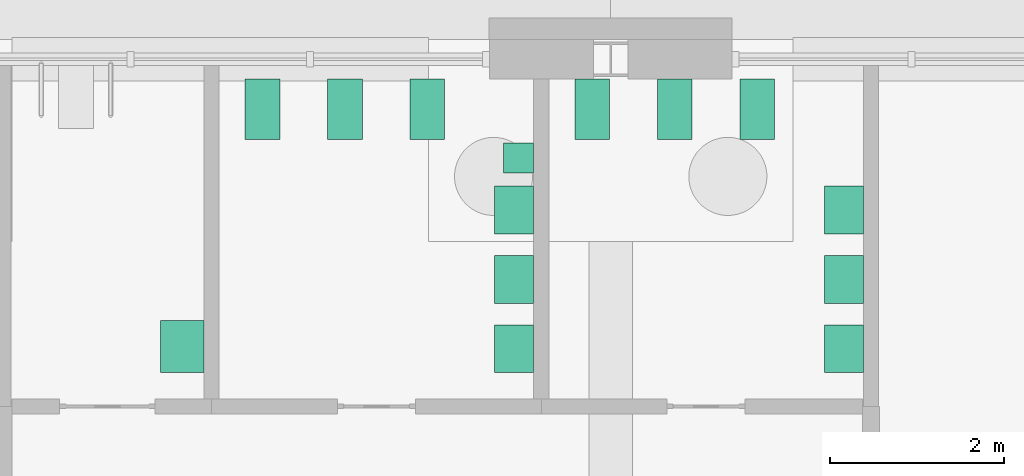
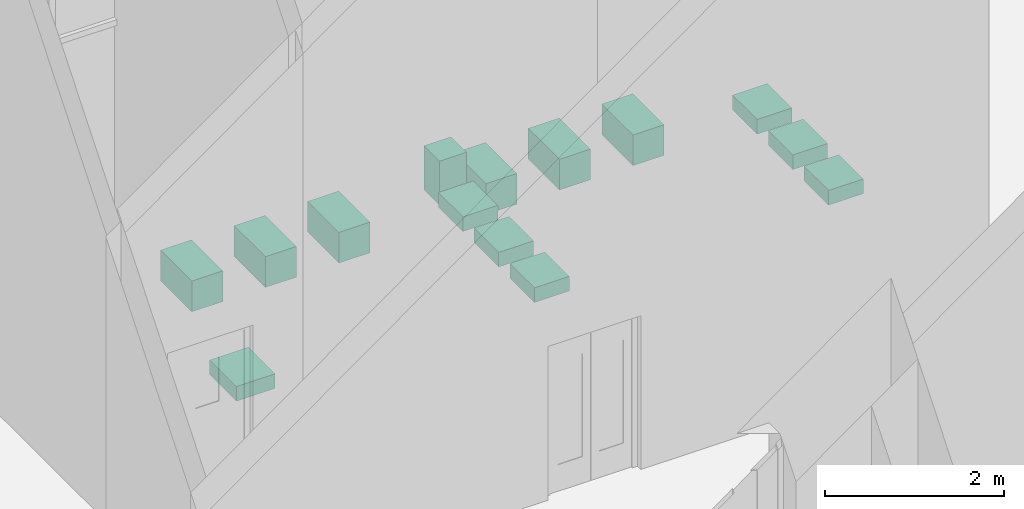
# One storey, part 235 of 250: 14 sanitary terminals.
"""IFC4 building model written with IfcOpenShell, lengths in metres."""

import ifcopenshell
import ifcopenshell.guid

model = None  # the IFC model being written
_history = None  # IfcOwnerHistory: only IFC2X3 demands one
_inside = {}  # id of a spatial element -> (the spatial element, [elements in it])
_under = {}  # id of a project, library or spatial element -> (it, [spatial elements below it])
_declared = {}  # id of a project -> (the project, [libraries it declares])
_typed = {}  # id of a type object -> (the type object, [elements of that type])
_made_of = {}  # id of a material, layer set ... -> (it, [elements and type objects made of it])


def new_model(schema):
    """Start an empty IFC model of exactly this schema.

    Asked for "IFC4X3", IfcOpenShell would pick the latest addendum, in which some entities
    have other attributes; the version numbers below select the first issue.
    IFC2X3 requires an IfcOwnerHistory on every rooted entity: one is made here for all.
    """
    global model, _history
    if schema == "IFC4X3":
        model = ifcopenshell.file(schema_version=(4, 3, 0, 0))
    else:
        model = ifcopenshell.file(schema=schema)
    _inside.clear()
    _under.clear()
    _declared.clear()
    _typed.clear()
    _made_of.clear()
    _history = None
    if model.schema == "IFC2X3":
        org = make("IfcOrganization", Name="unknown")
        user = make(
            "IfcPersonAndOrganization",
            ThePerson=make("IfcPerson", FamilyName="unknown"),
            TheOrganization=org,
        )
        app = make(
            "IfcApplication",
            ApplicationDeveloper=org,
            Version="unknown",
            ApplicationFullName="unknown",
            ApplicationIdentifier="unknown",
        )
        _history = make(
            "IfcOwnerHistory",
            OwningUser=user,
            OwningApplication=app,
            ChangeAction="ADDED",
            CreationDate=0,
        )
    return model


def make(cls, **values):
    """One entity of the class cls with the attributes given. An attribute that is None is left unset."""
    return model.create_entity(
        cls, **{name: value for name, value in values.items() if value is not None}
    )


def rooted(cls, **values):
    """An entity with a GlobalId (a new one), such as an element, a storey or a relation."""
    return make(cls, GlobalId=ifcopenshell.guid.new(), OwnerHistory=_history, **values)


def si_unit(unit_type, name, prefix=None):
    """IfcSIUnit, for example si_unit("LENGTHUNIT", "METRE", prefix="MILLI")."""
    return make("IfcSIUnit", UnitType=unit_type, Prefix=prefix, Name=name)


def assignment(units):
    """IfcUnitAssignment: the units of a project."""
    return None if units is None else make("IfcUnitAssignment", Units=units)


def point(xyz):
    """IfcCartesianPoint."""
    return None if xyz is None else make("IfcCartesianPoint", Coordinates=xyz)


def direction(xyz):
    """IfcDirection."""
    return None if xyz is None else make("IfcDirection", DirectionRatios=xyz)


def frame(location, z_axis=None, x_axis=None):
    """IfcAxis2Placement3D, a coordinate frame: its origin and axes. An axis left out is left unset."""
    return make(
        "IfcAxis2Placement3D",
        Location=point(location),
        Axis=direction(z_axis),
        RefDirection=direction(x_axis),
    )


def frame_2d(location, x_axis=None):
    """IfcAxis2Placement2D, a coordinate frame in the plane: its origin and x axis."""
    return make(
        "IfcAxis2Placement2D", Location=point(location), RefDirection=direction(x_axis)
    )


def origin():
    """The frame at (0, 0, 0) with its axes left unset."""
    return frame((0.0, 0.0, 0.0))


def origin_2d():
    """The frame at (0, 0) in the plane with its x axis left unset."""
    return frame_2d((0.0, 0.0))


def place(relative_to, where):
    """IfcLocalPlacement: puts the frame where relative to a parent placement (None: the world)."""
    return make(
        "IfcLocalPlacement", PlacementRelTo=relative_to, RelativePlacement=where
    )


def context(
    kind, dimensions, precision=None, world=None, true_north=None, identifier=None
):
    """IfcGeometricRepresentationContext, for example the 3D "Model" context."""
    return make(
        "IfcGeometricRepresentationContext",
        ContextIdentifier=identifier,
        ContextType=kind,
        CoordinateSpaceDimension=dimensions,
        Precision=precision,
        WorldCoordinateSystem=world,
        TrueNorth=true_north,
    )


def subcontext(parent, identifier, kind, view, scale=None):
    """IfcGeometricRepresentationSubContext, for example "Body" below "Model"."""
    return make(
        "IfcGeometricRepresentationSubContext",
        ContextIdentifier=identifier,
        ContextType=kind,
        ParentContext=parent,
        TargetScale=scale,
        TargetView=view,
    )


def project(units=None, contexts=None):
    """IfcProject with its units and contexts."""
    return rooted(
        "IfcProject",
        Name="project",
        RepresentationContexts=contexts,
        UnitsInContext=assignment(units),
    )


def spatial(cls, under=None, at=None, **own):
    """A site, building, storey or space (cls), placed at a placement, below another one or the project."""
    s = rooted(cls, ObjectPlacement=at, **own)
    if under is not None:
        _under.setdefault(under.id(), (under, []))[1].append(s)
    return s


def profile(cls, at=None, kind="AREA", **sizes):
    """A parametric profile (cls). Its sizes go by their IFC names, for example OverallWidth=200.0."""
    return make(cls, ProfileType=kind, Position=at, **sizes)


def rectangle(**sizes):
    """IfcRectangleProfileDef."""
    return profile("IfcRectangleProfileDef", **sizes)


def extrude(swept, where, along, depth):
    """IfcExtrudedAreaSolid: the profile swept, set in the frame where, extruded along a direction by depth."""
    return make(
        "IfcExtrudedAreaSolid",
        SweptArea=swept,
        Position=where,
        ExtrudedDirection=direction(along),
        Depth=depth,
    )


def shape(context_of_items, identifier, shape_type, items):
    """IfcShapeRepresentation: the items that make up one representation, for example the "Body"."""
    return make(
        "IfcShapeRepresentation",
        ContextOfItems=context_of_items,
        RepresentationIdentifier=identifier,
        RepresentationType=shape_type,
        Items=items,
    )


def material(Name=None, Category=None):
    """IfcMaterial."""
    return make("IfcMaterial", Name=Name, Category=Category)


def made_of(thing, what):
    """Note that an element or type object is made of a material, layer set ...; save() writes the relation."""
    if what is not None:
        _made_of.setdefault(what.id(), (what, []))[1].append(thing)
    return thing


def type_object(cls, material=None, **own):
    """A type object (cls), such as IfcWallType, which elements share."""
    return made_of(rooted(cls, **own), material)


def element(
    cls,
    number,
    at=None,
    inside=None,
    cuts=None,
    type_object=None,
    material=None,
    context=None,
    identifier="Body",
    shape_type=None,
    held_by="IfcProductDefinitionShape",
    body=None,
    shapes=None,
    **own,
):
    """One element of the class cls, such as IfcWall. Its Tag is "e" and its number.

    at: its placement. inside: the storey or other place that contains it. cuts: it is an
    opening in that element (IfcRelVoidsElement). A single representation is given by context,
    identifier, shape_type and body (its items); several are given by shapes. held_by: the class
    of the entity that holds the representations. save() writes the other relations.
    """
    e = rooted(cls, Tag="e%d" % number, ObjectPlacement=at, **own)
    if body is not None:
        shapes = [shape(context, identifier, shape_type, body)]
    if shapes is not None:
        e.Representation = make(held_by, Representations=shapes)
    if inside is not None:
        _inside.setdefault(inside.id(), (inside, []))[1].append(e)
    if cuts is not None:
        rooted(
            "IfcRelVoidsElement", RelatingBuildingElement=cuts, RelatedOpeningElement=e
        )
    if type_object is not None:
        _typed.setdefault(type_object.id(), (type_object, []))[1].append(e)
    return made_of(e, material)


def aggregate(whole, parts):
    """IfcRelAggregates: a whole, such as a stair, and the parts it consists of."""
    return rooted("IfcRelAggregates", RelatingObject=whole, RelatedObjects=parts)


def save(model, path):
    """Write the relations noted so far, then the file.

    IfcRelAggregates (storeys below a building ...), IfcRelContainedInSpatialStructure (elements
    in a storey), IfcRelDefinesByType, IfcRelAssociatesMaterial and IfcRelDeclares: one each for
    every whole, place, type object, material and project.
    """
    for whole, parts in _under.values():
        aggregate(whole, parts)
    for where, things in _inside.values():
        rooted(
            "IfcRelContainedInSpatialStructure",
            RelatedElements=things,
            RelatingStructure=where,
        )
    for kind, things in _typed.values():
        rooted("IfcRelDefinesByType", RelatedObjects=things, RelatingType=kind)
    for what, things in _made_of.values():
        rooted("IfcRelAssociatesMaterial", RelatedObjects=things, RelatingMaterial=what)
    for by, libraries in _declared.values():
        rooted("IfcRelDeclares", RelatingContext=by, RelatedDefinitions=libraries)
    model.write(path)


model = new_model("IFC4")

# Units and contexts
model_context = context("Model", 3, precision=1e-05, world=origin(), true_north=direction((0.0, 1.0)))
body_context = subcontext(model_context, "Body", "Model", "MODEL_VIEW")
ifc_project = project(units=[si_unit("LENGTHUNIT", "METRE"), si_unit("AREAUNIT", "SQUARE_METRE"), si_unit("VOLUMEUNIT", "CUBIC_METRE"), si_unit("PLANEANGLEUNIT", "RADIAN"), si_unit("MASSUNIT", "GRAM", prefix="KILO")], contexts=[model_context])

# Site, building, storey
site_placement = place(None, origin())
site = spatial("IfcSite", under=ifc_project, at=site_placement, CompositionType="ELEMENT")
building_placement = place(site_placement, origin())
building = spatial("IfcBuilding", under=site, at=building_placement, Name="Baradari Gate Terminus", CompositionType="ELEMENT")
storey_placement = place(building_placement, origin())
storey = spatial("IfcBuildingStorey", under=building, at=storey_placement, Name="L00", CompositionType="ELEMENT", Elevation=0.0)

# Sanitary terminals
ifc_material_1 = material(Name="Vitreous china", Category="ceramic")
sanitary_terminal_type_1 = type_object("IfcSanitaryTerminalType", Name="Accessible wash basin SW-6", PredefinedType="WASHHANDBASIN", material=ifc_material_1)
sanitary_terminal_1_placement = place(storey_placement, frame((40.0625, 140.6875, 0.75), z_axis=(0.0, 0.0, 1.0), x_axis=(1.0, 0.0, 0.0)))
element("IfcSanitaryTerminal", 1, at=sanitary_terminal_1_placement, inside=storey, type_object=sanitary_terminal_type_1, Name="Accessible wash basin Accessible WC", PredefinedType="WASHHANDBASIN", context=body_context, shape_type="SweptSolid", body=[
    extrude(rectangle(XDim=0.5, YDim=0.60009765625, at=origin_2d()), origin(), (0.0, 0.0, 1.0), 0.199951171875),
])
ifc_material_2 = material(Name="Vitreous china", Category="ceramic")
sanitary_terminal_type_2 = type_object("IfcSanitaryTerminalType", Name="Urinal SW-3", PredefinedType="URINAL", material=ifc_material_2)
sanitary_terminal_2_placement = place(storey_placement, frame((43.9375, 142.862548828125, 0.64990234375), z_axis=(0.0, 0.0, 1.0), x_axis=(1.0, 0.0, 0.0)))
element("IfcSanitaryTerminal", 2, at=sanitary_terminal_2_placement, inside=storey, type_object=sanitary_terminal_type_2, Name="Urinal Male WC", PredefinedType="URINAL", context=body_context, shape_type="SweptSolid", body=[
    extrude(rectangle(XDim=0.35009765625, YDim=0.35009765625, at=origin_2d()), origin(), (0.0, 0.0, 1.0), 0.60009765625),
])
ifc_material_3 = material(Name="Vitreous china", Category="ceramic")
sanitary_terminal_type_3 = type_object("IfcSanitaryTerminalType", Name="WC pan SW-1", PredefinedType="TOILETPAN", material=ifc_material_3)
for number, where, z_axis, x_axis, name in (
    (3, (40.987548828125, 143.425048828125, 0.0), (0.0, 0.0, 1.0), (1.0, 0.0, 0.0), "WC pan Male WC"),
    (4, (41.9375, 143.425048828125, 0.0), (0.0, 0.0, 1.0), (1.0, 0.0, 0.0), "WC pan Male WC"),
    (5, (42.887451171875, 143.425048828125, 0.0), (0.0, 0.0, 1.0), (1.0, 0.0, 0.0), "WC pan Male WC"),
    (6, (44.78759765625, 143.425048828125, 0.0), (0.0, 0.0, 1.0), (1.0, 0.0, 0.0), "WC pan Female WC"),
    (7, (45.737548828125, 143.425048828125, 0.0), (0.0, 0.0, 1.0), (1.0, 0.0, 0.0), "WC pan Female WC"),
    (8, (46.6875, 143.425048828125, 0.0), (0.0, 0.0, 1.0), (1.0, 0.0, 0.0), "WC pan Female WC"),
):
    element("IfcSanitaryTerminal", number, at=place(storey_placement, frame(where, z_axis=z_axis, x_axis=x_axis)), inside=storey, type_object=sanitary_terminal_type_3, Name=name, PredefinedType="TOILETPAN", context=body_context, shape_type="SweptSolid", body=[
        extrude(rectangle(XDim=0.39990234375, YDim=0.699951171875, at=origin_2d()), origin(), (0.0, 0.0, 1.0), 0.419921875),
    ])
ifc_material_4 = material(Name="Vitreous china", Category="ceramic")
sanitary_terminal_type_4 = type_object("IfcSanitaryTerminalType", Name="Wash basin SW-2", PredefinedType="WASHHANDBASIN", material=ifc_material_4)
for number, where, z_axis, x_axis, name in (
    (9, (43.887451171875, 140.66259765625, 0.75), (0.0, 0.0, 1.0), (1.0, 0.0, 0.0), "Wash basin Male WC"),
    (10, (43.887451171875, 141.46240234375, 0.75), (0.0, 0.0, 1.0), (1.0, 0.0, 0.0), "Wash basin Male WC"),
    (11, (43.887451171875, 142.262451171875, 0.75), (0.0, 0.0, 1.0), (1.0, 0.0, 0.0), "Wash basin Male WC"),
    (12, (47.6875, 140.66259765625, 0.75), (0.0, 0.0, 1.0), (1.0, 0.0, 0.0), "Wash basin Female WC"),
    (13, (47.6875, 141.46240234375, 0.75), (0.0, 0.0, 1.0), (1.0, 0.0, 0.0), "Wash basin Female WC"),
    (14, (47.6875, 142.262451171875, 0.75), (0.0, 0.0, 1.0), (1.0, 0.0, 0.0), "Wash basin Female WC"),
):
    element("IfcSanitaryTerminal", number, at=place(storey_placement, frame(where, z_axis=z_axis, x_axis=x_axis)), inside=storey, type_object=sanitary_terminal_type_4, Name=name, PredefinedType="WASHHANDBASIN", context=body_context, shape_type="SweptSolid", body=[
        extrude(rectangle(XDim=0.449951171875, YDim=0.550048828125, at=origin_2d()), origin(), (0.0, 0.0, 1.0), 0.199951171875),
    ])

save(model, "model.ifc")
